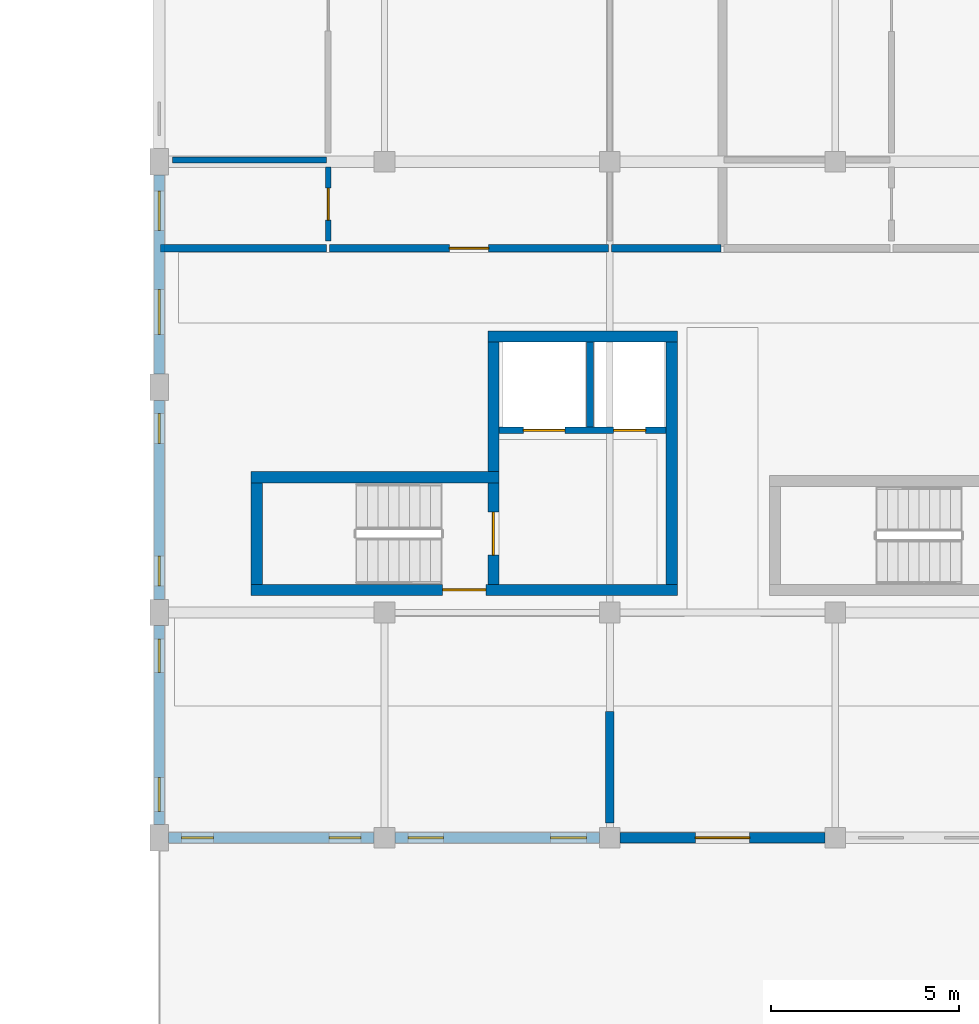
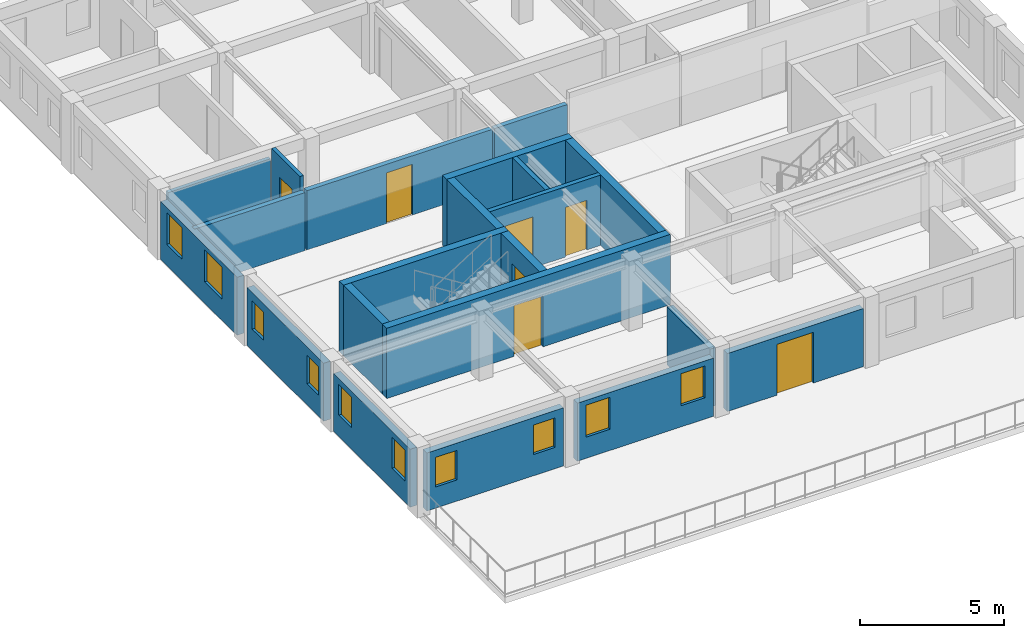
# One storey, part 15 of 28: 21 walls, 10 windows, 7 doors, 17 openings.
"""IFC4 building model written with IfcOpenShell, lengths in metres."""

from ifc_helpers import new_model, si_unit, direction, frame, frame_2d, origin, place, context, subcontext, project, spatial, rectangle, extrude, material, layer, layer_set, type_object, element, fill, save


model = new_model("IFC4")

# Units and contexts
model_context = context("Model", 3, precision=1e-05, world=origin(), true_north=direction((0.0, 1.0)))
body_context = subcontext(model_context, "Body", "Model", "MODEL_VIEW")
ifc_project = project(units=[si_unit("LENGTHUNIT", "METRE"), si_unit("AREAUNIT", "SQUARE_METRE"), si_unit("VOLUMEUNIT", "CUBIC_METRE"), si_unit("PLANEANGLEUNIT", "RADIAN"), si_unit("MASSUNIT", "GRAM", prefix="KILO"), si_unit("POWERUNIT", "WATT"), si_unit("THERMODYNAMICTEMPERATUREUNIT", "KELVIN")], contexts=[model_context])

# Site, building, storey
site_placement = place(None, origin())
site = spatial("IfcSite", under=ifc_project, at=site_placement, CompositionType="ELEMENT")
building_placement = place(site_placement, origin())
building = spatial("IfcBuilding", under=site, at=building_placement, Name="Ruvembo Vaulted Housing Court", CompositionType="ELEMENT")
storey_placement = place(building_placement, frame((0.0, 0.0, 23.699951171875)))
storey = spatial("IfcBuildingStorey", under=building, at=storey_placement, Name="L07", CompositionType="ELEMENT", Elevation=23.699951171875)

# Wall, opening, door
ifc_material_1 = material(Name="Concrete C35/45", Category="concrete")
ifc_layer_1 = layer(ifc_material_1, 0.300048828125, Name="Concrete C35/45")
ifc_layer_set_1 = layer_set([ifc_layer_1], Name="Concrete C35/45")
wall_type_1 = type_object("IfcWallType", Name="WL-CORE-300", PredefinedType="SHEAR", material=ifc_layer_set_1)
wall_1_placement = place(storey_placement, frame((50.449951171875, 90.60009765625, 0.0), z_axis=(0.0, 0.0, 1.0), x_axis=(1.0, 0.0, 0.0)))
wall_1 = element("IfcWall", 1, at=wall_1_placement, inside=storey, type_object=wall_type_1, Name="Core B1 L07 South Shear Wall", PredefinedType="SHEAR", context=body_context, shape_type="SweptSolid", body=[
    extrude(rectangle(XDim=11.35009765625, YDim=0.300048828125, at=frame_2d((5.675048828125, 0.0))), origin(), (0.0, 0.0, 1.0), 2.97509765625),
])
opening_1_placement = place(wall_1_placement, frame((5.10009765625, 0.0, 0.0)))
opening_1 = element("IfcOpeningElement", 2, at=opening_1_placement, cuts=wall_1, Name="Opening LD0", PredefinedType="OPENING", context=body_context, shape_type="SweptSolid", body=[
    extrude(rectangle(XDim=1.14990234375, YDim=2.14990234375, at=frame_2d((0.574951171875, 1.074951171875))), frame((0.0, 0.159912109375, 0.0), z_axis=(0.0, -1.0, 0.0), x_axis=(1.0, 0.0, 0.0)), (0.0, 0.0, 1.0), 0.320068359375),
])
ifc_material_2 = material(Name="Galvanised Painted Steel", Category="steel")
door_type_1 = type_object("IfcDoorType", Name="DR-LOB-1150x2150", OperationType="NOTDEFINED", PredefinedType="DOOR", material=ifc_material_2)
door_1_placement = place(opening_1_placement, origin())
door_1 = element("IfcDoor", 3, at=door_1_placement, inside=storey, type_object=door_type_1, Name="Core B1 L07 Lobby Fire Door", OperationType="SINGLE_SWING_LEFT", OverallHeight=2.14990234375, OverallWidth=1.14990234375, PredefinedType="DOOR", context=body_context, shape_type="SweptSolid", body=[
    extrude(rectangle(XDim=1.14990234375, YDim=2.14990234375, at=frame_2d((0.574951171875, 1.074951171875))), frame((0.0, 0.02490234375, 0.0), z_axis=(0.0, -1.0, 0.0), x_axis=(1.0, 0.0, 0.0)), (0.0, 0.0, 1.0), 0.050048828125),
])
fill(opening_1, door_1)

# Walls
wall_2_placement = place(storey_placement, frame((57.050048828125, 93.60009765625, 0.0), z_axis=(0.0, 0.0, 1.0), x_axis=(-1.0, 0.0, 0.0)))
element("IfcWall", 4, at=wall_2_placement, inside=storey, type_object=wall_type_1, Name="Core B1 L07 Stair North Shear Wall", PredefinedType="SHEAR", context=body_context, shape_type="SweptSolid", body=[
    extrude(rectangle(XDim=6.60009765625, YDim=0.300048828125, at=frame_2d((3.300048828125, 0.0))), origin(), (0.0, 0.0, 1.0), 2.97509765625),
])
wall_3_placement = place(storey_placement, frame((50.60009765625, 93.449951171875, 0.0), z_axis=(0.0, 0.0, 1.0), x_axis=(0.0, -1.0, 0.0)))
element("IfcWall", 5, at=wall_3_placement, inside=storey, type_object=wall_type_1, Name="Core B1 L07 Stair West Shear Wall", PredefinedType="SHEAR", context=body_context, shape_type="SweptSolid", body=[
    extrude(rectangle(XDim=2.699951171875, YDim=0.300048828125, at=frame_2d((1.35009765625, 0.0))), origin(), (0.0, 0.0, 1.0), 2.97509765625),
])

# Wall, opening, door
wall_4_placement = place(storey_placement, frame((56.89990234375, 90.75, 0.0), z_axis=(0.0, 0.0, 1.0), x_axis=(0.0, 1.0, 0.0)))
wall_4 = element("IfcWall", 6, at=wall_4_placement, inside=storey, type_object=wall_type_1, Name="Core B1 L07 Stair-Lobby Shear Wall", PredefinedType="SHEAR", context=body_context, shape_type="SweptSolid", body=[
    extrude(rectangle(XDim=2.699951171875, YDim=0.300048828125, at=frame_2d((1.35009765625, 0.0))), origin(), (0.0, 0.0, 1.0), 2.97509765625),
])
opening_2_placement = place(wall_4_placement, frame((0.77490234375, 0.0, 0.0)))
opening_2 = element("IfcOpeningElement", 7, at=opening_2_placement, cuts=wall_4, Name="Opening SD1", PredefinedType="OPENING", context=body_context, shape_type="SweptSolid", body=[
    extrude(rectangle(XDim=1.14990234375, YDim=2.14990234375, at=frame_2d((0.574951171875, 1.074951171875))), frame((0.0, 0.159912109375, 0.0), z_axis=(0.0, -1.0, 0.0), x_axis=(1.0, 0.0, 0.0)), (0.0, 0.0, 1.0), 0.320068359375),
])
door_type_2 = type_object("IfcDoorType", Name="DR-STAIR-1150x2150", OperationType="NOTDEFINED", PredefinedType="DOOR", material=ifc_material_2)
door_2_placement = place(opening_2_placement, origin())
door_2 = element("IfcDoor", 8, at=door_2_placement, inside=storey, type_object=door_type_2, Name="Stair ST-B1 L07 Fire Door", OperationType="SINGLE_SWING_RIGHT", OverallHeight=2.14990234375, OverallWidth=1.14990234375, PredefinedType="DOOR", context=body_context, shape_type="SweptSolid", body=[
    extrude(rectangle(XDim=1.14990234375, YDim=2.14990234375, at=frame_2d((0.574951171875, 1.074951171875))), frame((0.0, 0.02490234375, 0.0), z_axis=(0.0, -1.0, 0.0), x_axis=(1.0, 0.0, 0.0)), (0.0, 0.0, 1.0), 0.050048828125),
])
fill(opening_2, door_2)

# Walls
wall_5_placement = place(storey_placement, frame((61.800048828125, 97.35009765625, 0.0), z_axis=(0.0, 0.0, 1.0), x_axis=(-1.0, 0.0, 0.0)))
element("IfcWall", 9, at=wall_5_placement, inside=storey, type_object=wall_type_1, Name="Core B1 L07 North Shear Wall", PredefinedType="SHEAR", context=body_context, shape_type="SweptSolid", body=[
    extrude(rectangle(XDim=5.050048828125, YDim=0.300048828125, at=frame_2d((2.52490234375, 0.0))), origin(), (0.0, 0.0, 1.0), 2.97509765625),
])
wall_6_placement = place(storey_placement, frame((61.64990234375, 90.75, 0.0), z_axis=(0.0, 0.0, 1.0), x_axis=(0.0, 1.0, 0.0)))
element("IfcWall", 10, at=wall_6_placement, inside=storey, type_object=wall_type_1, Name="Core B1 L07 East Shear Wall", PredefinedType="SHEAR", context=body_context, shape_type="SweptSolid", body=[
    extrude(rectangle(XDim=6.449951171875, YDim=0.300048828125, at=frame_2d((3.22509765625, 0.0))), origin(), (0.0, 0.0, 1.0), 2.97509765625),
])
wall_7_placement = place(storey_placement, frame((56.89990234375, 93.75, 0.0), z_axis=(0.0, 0.0, 1.0), x_axis=(0.0, 1.0, 0.0)))
element("IfcWall", 11, at=wall_7_placement, inside=storey, type_object=wall_type_1, Name="Core B1 L07 Upper West Shear Wall", PredefinedType="SHEAR", context=body_context, shape_type="SweptSolid", body=[
    extrude(rectangle(XDim=3.449951171875, YDim=0.300048828125, at=frame_2d((1.72509765625, 0.0))), origin(), (0.0, 0.0, 1.0), 2.97509765625),
])
ifc_material_3 = material(Name="Concrete Blockwork 190", Category="masonry")
ifc_layer_2 = layer(ifc_material_3, 0.18994140625, Name="Concrete Blockwork 190")
ifc_layer_set_2 = layer_set([ifc_layer_2], Name="Concrete Blockwork 190")
wall_type_2 = type_object("IfcWallType", Name="WL-CORR-190", PredefinedType="SOLIDWALL", material=ifc_layer_set_2)
wall_8_placement = place(storey_placement, frame((48.0400390625, 99.699951171875, 0.0), z_axis=(0.0, 0.0, 1.0), x_axis=(1.0, 0.0, 0.0)))
element("IfcWall", 12, at=wall_8_placement, inside=storey, type_object=wall_type_2, Name="L07 Flat B-L07-N1 Corridor Wall WL-INT-L07-01911", PredefinedType="SOLIDWALL", context=body_context, shape_type="SweptSolid", body=[
    extrude(rectangle(XDim=4.419921875, YDim=0.18994140625, at=frame_2d((2.2099609375, 0.0))), origin(), (0.0, 0.0, 1.0), 2.45703125),
])

# Wall, opening, door
wall_9_placement = place(storey_placement, frame((52.5400390625, 99.699951171875, 0.0), z_axis=(0.0, 0.0, 1.0), x_axis=(1.0, 0.0, 0.0)))
wall_9 = element("IfcWall", 13, at=wall_9_placement, inside=storey, type_object=wall_type_2, Name="L07 Flat B-L07-N1 Entrance WL-INT-L07-01912", PredefinedType="SOLIDWALL", context=body_context, shape_type="SweptSolid", body=[
    extrude(rectangle(XDim=7.419921875, YDim=0.18994140625, at=frame_2d((3.7099609375, 0.0))), origin(), (0.0, 0.0, 1.0), 2.508056640625),
])
opening_3_placement = place(wall_9_placement, frame((3.18505859375, 0.0, 0.0)))
opening_3 = element("IfcOpeningElement", 14, at=opening_3_placement, cuts=wall_9, Name="Opening FD3", PredefinedType="OPENING", context=body_context, shape_type="SweptSolid", body=[
    extrude(rectangle(XDim=1.050048828125, YDim=2.14990234375, at=frame_2d((0.52490234375, 1.074951171875))), frame((0.0, 0.10498046875, 0.0), z_axis=(0.0, -1.0, 0.0), x_axis=(1.0, 0.0, 0.0)), (0.0, 0.0, 1.0), 0.2099609375),
])
ifc_material_4 = material(Name="FSC Hardwood and Engineered Timber", Category="wood")
door_type_3 = type_object("IfcDoorType", Name="DR-FLAT-1050x2150", OperationType="NOTDEFINED", PredefinedType="DOOR", material=ifc_material_4)
door_3_placement = place(opening_3_placement, origin())
door_3 = element("IfcDoor", 15, at=door_3_placement, inside=storey, type_object=door_type_3, Name="L07 Flat B-L07-N1 Entrance Door DR-INT-L07-01073", OperationType="SINGLE_SWING_LEFT", OverallHeight=2.14990234375, OverallWidth=1.050048828125, PredefinedType="DOOR", context=body_context, shape_type="SweptSolid", body=[
    extrude(rectangle(XDim=1.050048828125, YDim=2.14990234375, at=frame_2d((0.52490234375, 1.074951171875))), frame((0.0, 0.02490234375, 0.0), z_axis=(0.0, -1.0, 0.0), x_axis=(1.0, 0.0, 0.0)), (0.0, 0.0, 1.0), 0.050048828125),
])
fill(opening_3, door_3)

# Walls
wall_10_placement = place(storey_placement, frame((60.0400390625, 99.699951171875, 0.0), z_axis=(0.0, 0.0, 1.0), x_axis=(1.0, 0.0, 0.0)))
element("IfcWall", 16, at=wall_10_placement, inside=storey, type_object=wall_type_2, Name="L07 Flat B-L07-N1 Corridor Wall 2 WL-INT-L07-01918", PredefinedType="SOLIDWALL", context=body_context, shape_type="SweptSolid", body=[
    extrude(rectangle(XDim=2.919921875, YDim=0.18994140625, at=frame_2d((1.4599609375, 0.0))), origin(), (0.0, 0.0, 1.0), 2.508056640625),
])
ifc_material_5 = material(Name="Acoustic Masonry Demising 230", Category="masonry")
ifc_layer_3 = layer(ifc_material_5, 0.22998046875, Name="Acoustic Masonry Demising 230")
ifc_layer_set_3 = layer_set([ifc_layer_3], Name="Acoustic Masonry Demising 230")
wall_type_3 = type_object("IfcWallType", Name="WL-DEM-230", PredefinedType="SOLIDWALL", material=ifc_layer_set_3)
wall_11_placement = place(storey_placement, frame((60.0, 84.389892578125, 0.0), z_axis=(0.0, 0.0, 1.0), x_axis=(0.0, 1.0, 0.0)))
element("IfcWall", 17, at=wall_11_placement, inside=storey, type_object=wall_type_3, Name="L07 Demising B-L07-S1 WL-INT-L07-01908", PredefinedType="SOLIDWALL", context=body_context, shape_type="SweptSolid", body=[
    extrude(rectangle(XDim=2.97021484375, YDim=0.22998046875, at=frame_2d((1.485107421875, 0.0))), origin(), (0.0, 0.0, 1.0), 2.4580078125),
])

# Wall, openings, windows
ifc_material_6 = material(Name="Rendered Masonry 270", Category="masonry")
ifc_layer_4 = layer(ifc_material_6, 0.27001953125, Name="Rendered Masonry 270")
ifc_layer_set_4 = layer_set([ifc_layer_4], Name="Rendered Masonry 270")
wall_type_4 = type_object("IfcWallType", Name="WL-EXT-270", PredefinedType="STANDARD", material=ifc_layer_set_4)
wall_12_placement = place(storey_placement, frame((48.25, 84.0, 0.0), z_axis=(0.0, 0.0, 1.0), x_axis=(1.0, 0.0, 0.0)))
wall_12 = element("IfcWall", 18, at=wall_12_placement, inside=storey, type_object=wall_type_4, Name="Block B L07 Exterior Wall COURTYARD #1", PredefinedType="STANDARD", context=body_context, shape_type="SweptSolid", body=[
    extrude(rectangle(XDim=5.47509765625, YDim=0.27001953125, at=frame_2d((2.737548828125, 0.0))), origin(), (0.0, 0.0, 1.0), 2.45703125),
])
opening_4_placement = place(wall_12_placement, frame((0.35009765625, 0.0, 0.89990234375)))
opening_4 = element("IfcOpeningElement", 19, at=opening_4_placement, cuts=wall_12, Name="Opening W03", PredefinedType="OPENING", context=body_context, shape_type="SweptSolid", body=[
    extrude(rectangle(XDim=0.85009765625, YDim=1.25, at=frame_2d((0.425048828125, 0.625))), frame((0.0, 0.14501953125, 0.0), z_axis=(0.0, -1.0, 0.0), x_axis=(1.0, 0.0, 0.0)), (0.0, 0.0, 1.0), 0.2900390625),
])
opening_5_placement = place(wall_12_placement, frame((4.27490234375, 0.0, 0.89990234375)))
opening_5 = element("IfcOpeningElement", 20, at=opening_5_placement, cuts=wall_12, Name="Opening W03", PredefinedType="OPENING", context=body_context, shape_type="SweptSolid", body=[
    extrude(rectangle(XDim=0.85009765625, YDim=1.25, at=frame_2d((0.425048828125, 0.625))), frame((0.0, 0.14501953125, 0.0), z_axis=(0.0, -1.0, 0.0), x_axis=(1.0, 0.0, 0.0)), (0.0, 0.0, 1.0), 0.2900390625),
])
ifc_material_7 = material(Name="Double Solar-Control Glazing in Aluminium Frame", Category="aluminium")
window_type_1 = type_object("IfcWindowType", Name="WIN-0850x1250", PartitioningType="SINGLE_PANEL", PredefinedType="WINDOW", material=ifc_material_7)
window_1_placement = place(opening_4_placement, origin())
window_1 = element("IfcWindow", 21, at=window_1_placement, inside=storey, type_object=window_type_1, Name="Block B L07 Window #907", OverallHeight=1.25, OverallWidth=0.85009765625, PartitioningType="SINGLE_PANEL", PredefinedType="WINDOW", context=body_context, shape_type="SweptSolid", body=[
    extrude(rectangle(XDim=0.85009765625, YDim=1.25, at=frame_2d((0.425048828125, 0.625))), frame((0.0, 0.030029296875, 0.0), z_axis=(0.0, -1.0, 0.0), x_axis=(1.0, 0.0, 0.0)), (0.0, 0.0, 1.0), 0.06005859375),
])
fill(opening_4, window_1)
window_2_placement = place(opening_5_placement, origin())
window_2 = element("IfcWindow", 22, at=window_2_placement, inside=storey, type_object=window_type_1, Name="Block B L07 Window #908", OverallHeight=1.25, OverallWidth=0.85009765625, PartitioningType="SINGLE_PANEL", PredefinedType="WINDOW", context=body_context, shape_type="SweptSolid", body=[
    extrude(rectangle(XDim=0.85009765625, YDim=1.25, at=frame_2d((0.425048828125, 0.625))), frame((0.0, 0.030029296875, 0.0), z_axis=(0.0, -1.0, 0.0), x_axis=(1.0, 0.0, 0.0)), (0.0, 0.0, 1.0), 0.06005859375),
])
fill(opening_5, window_2)

wall_13_placement = place(storey_placement, frame((54.27490234375, 84.0, 0.0), z_axis=(0.0, 0.0, 1.0), x_axis=(1.0, 0.0, 0.0)))
wall_13 = element("IfcWall", 23, at=wall_13_placement, inside=storey, type_object=wall_type_4, Name="Block B L07 Exterior Wall COURTYARD #2", PredefinedType="STANDARD", context=body_context, shape_type="SweptSolid", body=[
    extrude(rectangle(XDim=5.4501953125, YDim=0.27001953125, at=frame_2d((2.72509765625, 0.0))), origin(), (0.0, 0.0, 1.0), 2.45703125),
])
opening_6_placement = place(wall_13_placement, frame((0.35009765625, 0.0, 0.89990234375)))
opening_6 = element("IfcOpeningElement", 24, at=opening_6_placement, cuts=wall_13, Name="Opening W07", PredefinedType="OPENING", context=body_context, shape_type="SweptSolid", body=[
    extrude(rectangle(XDim=0.949951171875, YDim=1.35009765625, at=frame_2d((0.47509765625, 0.675048828125))), frame((0.0, 0.14501953125, 0.0), z_axis=(0.0, -1.0, 0.0), x_axis=(1.0, 0.0, 0.0)), (0.0, 0.0, 1.0), 0.2900390625),
])
opening_7_placement = place(wall_13_placement, frame((4.14990234375, 0.0, 0.89990234375)))
opening_7 = element("IfcOpeningElement", 25, at=opening_7_placement, cuts=wall_13, Name="Opening W07", PredefinedType="OPENING", context=body_context, shape_type="SweptSolid", body=[
    extrude(rectangle(XDim=0.949951171875, YDim=1.35009765625, at=frame_2d((0.47509765625, 0.675048828125))), frame((0.0, 0.14501953125, 0.0), z_axis=(0.0, -1.0, 0.0), x_axis=(1.0, 0.0, 0.0)), (0.0, 0.0, 1.0), 0.2900390625),
])
window_type_2 = type_object("IfcWindowType", Name="WIN-0950x1350", PartitioningType="SINGLE_PANEL", PredefinedType="WINDOW", material=ifc_material_7)
window_3_placement = place(opening_6_placement, origin())
window_3 = element("IfcWindow", 26, at=window_3_placement, inside=storey, type_object=window_type_2, Name="Block B L07 Window #909", OverallHeight=1.35009765625, OverallWidth=0.949951171875, PartitioningType="SINGLE_PANEL", PredefinedType="WINDOW", context=body_context, shape_type="SweptSolid", body=[
    extrude(rectangle(XDim=0.949951171875, YDim=1.35009765625, at=frame_2d((0.47509765625, 0.675048828125))), frame((0.0, 0.030029296875, 0.0), z_axis=(0.0, -1.0, 0.0), x_axis=(1.0, 0.0, 0.0)), (0.0, 0.0, 1.0), 0.06005859375),
])
fill(opening_6, window_3)
window_4_placement = place(opening_7_placement, origin())
window_4 = element("IfcWindow", 27, at=window_4_placement, inside=storey, type_object=window_type_2, Name="Block B L07 Window #910", OverallHeight=1.35009765625, OverallWidth=0.949951171875, PartitioningType="SINGLE_PANEL", PredefinedType="WINDOW", context=body_context, shape_type="SweptSolid", body=[
    extrude(rectangle(XDim=0.949951171875, YDim=1.35009765625, at=frame_2d((0.47509765625, 0.675048828125))), frame((0.0, 0.030029296875, 0.0), z_axis=(0.0, -1.0, 0.0), x_axis=(1.0, 0.0, 0.0)), (0.0, 0.0, 1.0), 0.06005859375),
])
fill(opening_7, window_4)

# Wall, opening, door
wall_14_placement = place(storey_placement, frame((60.27490234375, 84.0, 0.0), z_axis=(0.0, 0.0, 1.0), x_axis=(1.0, 0.0, 0.0)))
wall_14 = element("IfcWall", 28, at=wall_14_placement, inside=storey, type_object=wall_type_4, Name="Block B L07 Exterior Wall COURTYARD #3", PredefinedType="STANDARD", context=body_context, shape_type="SweptSolid", body=[
    extrude(rectangle(XDim=5.4501953125, YDim=0.27001953125, at=frame_2d((2.72509765625, 0.0))), origin(), (0.0, 0.0, 1.0), 2.45703125),
])
opening_8_placement = place(wall_14_placement, frame((2.0, 0.0, 0.0)))
opening_8 = element("IfcOpeningElement", 29, at=opening_8_placement, cuts=wall_14, Name="Opening TD0", PredefinedType="OPENING", context=body_context, shape_type="SweptSolid", body=[
    extrude(rectangle(XDim=1.449951171875, YDim=2.14990234375, at=frame_2d((0.72509765625, 1.074951171875))), frame((0.0, 0.14501953125, 0.0), z_axis=(0.0, -1.0, 0.0), x_axis=(1.0, 0.0, 0.0)), (0.0, 0.0, 1.0), 0.2900390625),
])
ifc_material_8 = material(Name="Thermally Broken Glazed Aluminium", Category="aluminium")
door_type_4 = type_object("IfcDoorType", Name="DR-TER-1450x2150", OperationType="NOTDEFINED", PredefinedType="DOOR", material=ifc_material_8)
door_4_placement = place(opening_8_placement, frame((1.449951171875, 0.0, 0.0), z_axis=(0.0, 0.0, 1.0), x_axis=(-1.0, 0.0, 0.0)))
door_4 = element("IfcDoor", 30, at=door_4_placement, inside=storey, type_object=door_type_4, Name="Block B L07 Terrace or Gallery Door DR-TER-B-L07-047", OperationType="SINGLE_SWING_RIGHT", OverallHeight=2.14990234375, OverallWidth=1.449951171875, PredefinedType="DOOR", context=body_context, shape_type="SweptSolid", body=[
    extrude(rectangle(XDim=1.449951171875, YDim=2.14990234375, at=frame_2d((0.72509765625, 1.074951171875))), frame((0.0, 0.02490234375, 0.0), z_axis=(0.0, -1.0, 0.0), x_axis=(1.0, 0.0, 0.0)), (0.0, 0.0, 1.0), 0.050048828125),
])
fill(opening_8, door_4)

# Wall, openings, windows
wall_15_placement = place(storey_placement, frame((48.0, 101.64990234375, 0.0), z_axis=(0.0, 0.0, 1.0), x_axis=(0.0, -1.0, 0.0)))
wall_15 = element("IfcWall", 31, at=wall_15_placement, inside=storey, type_object=wall_type_4, Name="Block B L07 Exterior Wall WEST #3", PredefinedType="STANDARD", context=body_context, shape_type="SweptSolid", body=[
    extrude(rectangle(XDim=5.2998046875, YDim=0.27001953125, at=frame_2d((2.64990234375, 0.0))), origin(), (0.0, 0.0, 1.0), 2.45703125),
])
opening_9_placement = place(wall_15_placement, frame((0.429931640625, 0.0, 0.89990234375)))
opening_9 = element("IfcOpeningElement", 32, at=opening_9_placement, cuts=wall_15, Name="Opening W09", PredefinedType="OPENING", context=body_context, shape_type="SweptSolid", body=[
    extrude(rectangle(XDim=1.050048828125, YDim=1.35009765625, at=frame_2d((0.52490234375, 0.675048828125))), frame((0.0, 0.14501953125, 0.0), z_axis=(0.0, -1.0, 0.0), x_axis=(1.0, 0.0, 0.0)), (0.0, 0.0, 1.0), 0.2900390625),
])
opening_10_placement = place(wall_15_placement, frame((3.044921875, 0.0, 0.89990234375)))
opening_10 = element("IfcOpeningElement", 33, at=opening_10_placement, cuts=wall_15, Name="Opening W12", PredefinedType="OPENING", context=body_context, shape_type="SweptSolid", body=[
    extrude(rectangle(XDim=1.199951171875, YDim=1.35009765625, at=frame_2d((0.60009765625, 0.675048828125))), frame((0.0, 0.14501953125, 0.0), z_axis=(0.0, -1.0, 0.0), x_axis=(1.0, 0.0, 0.0)), (0.0, 0.0, 1.0), 0.2900390625),
])
window_type_3 = type_object("IfcWindowType", Name="WIN-1050x1350", PartitioningType="SINGLE_PANEL", PredefinedType="WINDOW", material=ifc_material_7)
window_5_placement = place(opening_9_placement, origin())
window_5 = element("IfcWindow", 34, at=window_5_placement, inside=storey, type_object=window_type_3, Name="Block B L07 Window #940", OverallHeight=1.35009765625, OverallWidth=1.050048828125, PartitioningType="SINGLE_PANEL", PredefinedType="WINDOW", context=body_context, shape_type="SweptSolid", body=[
    extrude(rectangle(XDim=1.050048828125, YDim=1.35009765625, at=frame_2d((0.52490234375, 0.675048828125))), frame((0.0, 0.030029296875, 0.0), z_axis=(0.0, -1.0, 0.0), x_axis=(1.0, 0.0, 0.0)), (0.0, 0.0, 1.0), 0.06005859375),
])
fill(opening_9, window_5)
window_type_4 = type_object("IfcWindowType", Name="WIN-1200x1350", PartitioningType="SINGLE_PANEL", PredefinedType="WINDOW", material=ifc_material_7)
window_6_placement = place(opening_10_placement, origin())
window_6 = element("IfcWindow", 35, at=window_6_placement, inside=storey, type_object=window_type_4, Name="Block B L07 Window #941", OverallHeight=1.35009765625, OverallWidth=1.199951171875, PartitioningType="SINGLE_PANEL", PredefinedType="WINDOW", context=body_context, shape_type="SweptSolid", body=[
    extrude(rectangle(XDim=1.199951171875, YDim=1.35009765625, at=frame_2d((0.60009765625, 0.675048828125))), frame((0.0, 0.030029296875, 0.0), z_axis=(0.0, -1.0, 0.0), x_axis=(1.0, 0.0, 0.0)), (0.0, 0.0, 1.0), 0.06005859375),
])
fill(opening_10, window_6)

wall_16_placement = place(storey_placement, frame((48.0, 95.64990234375, 0.0), z_axis=(0.0, 0.0, 1.0), x_axis=(0.0, -1.0, 0.0)))
wall_16 = element("IfcWall", 36, at=wall_16_placement, inside=storey, type_object=wall_type_4, Name="Block B L07 Exterior Wall WEST #4", PredefinedType="STANDARD", context=body_context, shape_type="SweptSolid", body=[
    extrude(rectangle(XDim=5.2998046875, YDim=0.27001953125, at=frame_2d((2.64990234375, 0.0))), origin(), (0.0, 0.0, 1.0), 2.45703125),
])
opening_11_placement = place(wall_16_placement, frame((0.35009765625, 0.0, 0.89990234375)))
opening_11 = element("IfcOpeningElement", 37, at=opening_11_placement, cuts=wall_16, Name="Opening W02", PredefinedType="OPENING", context=body_context, shape_type="SweptSolid", body=[
    extrude(rectangle(XDim=0.800048828125, YDim=1.199951171875, at=frame_2d((0.39990234375, 0.60009765625))), frame((0.0, 0.14501953125, 0.0), z_axis=(0.0, -1.0, 0.0), x_axis=(1.0, 0.0, 0.0)), (0.0, 0.0, 1.0), 0.2900390625),
])
opening_12_placement = place(wall_16_placement, frame((4.14990234375, 0.0, 0.89990234375)))
opening_12 = element("IfcOpeningElement", 38, at=opening_12_placement, cuts=wall_16, Name="Opening W02", PredefinedType="OPENING", context=body_context, shape_type="SweptSolid", body=[
    extrude(rectangle(XDim=0.800048828125, YDim=1.199951171875, at=frame_2d((0.39990234375, 0.60009765625))), frame((0.0, 0.14501953125, 0.0), z_axis=(0.0, -1.0, 0.0), x_axis=(1.0, 0.0, 0.0)), (0.0, 0.0, 1.0), 0.2900390625),
])
window_type_5 = type_object("IfcWindowType", Name="WIN-0800x1200", PartitioningType="SINGLE_PANEL", PredefinedType="WINDOW", material=ifc_material_7)
window_7_placement = place(opening_11_placement, origin())
window_7 = element("IfcWindow", 39, at=window_7_placement, inside=storey, type_object=window_type_5, Name="Block B L07 Window #942", OverallHeight=1.199951171875, OverallWidth=0.800048828125, PartitioningType="SINGLE_PANEL", PredefinedType="WINDOW", context=body_context, shape_type="SweptSolid", body=[
    extrude(rectangle(XDim=0.800048828125, YDim=1.199951171875, at=frame_2d((0.39990234375, 0.60009765625))), frame((0.0, 0.030029296875, 0.0), z_axis=(0.0, -1.0, 0.0), x_axis=(1.0, 0.0, 0.0)), (0.0, 0.0, 1.0), 0.06005859375),
])
fill(opening_11, window_7)
window_8_placement = place(opening_12_placement, origin())
window_8 = element("IfcWindow", 40, at=window_8_placement, inside=storey, type_object=window_type_5, Name="Block B L07 Window #943", OverallHeight=1.199951171875, OverallWidth=0.800048828125, PartitioningType="SINGLE_PANEL", PredefinedType="WINDOW", context=body_context, shape_type="SweptSolid", body=[
    extrude(rectangle(XDim=0.800048828125, YDim=1.199951171875, at=frame_2d((0.39990234375, 0.60009765625))), frame((0.0, 0.030029296875, 0.0), z_axis=(0.0, -1.0, 0.0), x_axis=(1.0, 0.0, 0.0)), (0.0, 0.0, 1.0), 0.06005859375),
])
fill(opening_12, window_8)

wall_17_placement = place(storey_placement, frame((48.0, 89.64990234375, 0.0), z_axis=(0.0, 0.0, 1.0), x_axis=(0.0, -1.0, 0.0)))
wall_17 = element("IfcWall", 41, at=wall_17_placement, inside=storey, type_object=wall_type_4, Name="Block B L07 Exterior Wall WEST #5", PredefinedType="STANDARD", context=body_context, shape_type="SweptSolid", body=[
    extrude(rectangle(XDim=5.2998046875, YDim=0.27001953125, at=frame_2d((2.64990234375, 0.0))), origin(), (0.0, 0.0, 1.0), 2.45703125),
])
opening_13_placement = place(wall_17_placement, frame((0.35009765625, 0.0, 0.89990234375)))
opening_13 = element("IfcOpeningElement", 42, at=opening_13_placement, cuts=wall_17, Name="Opening W04", PredefinedType="OPENING", context=body_context, shape_type="SweptSolid", body=[
    extrude(rectangle(XDim=0.89990234375, YDim=1.300048828125, at=frame_2d((0.449951171875, 0.64990234375))), frame((0.0, 0.14501953125, 0.0), z_axis=(0.0, -1.0, 0.0), x_axis=(1.0, 0.0, 0.0)), (0.0, 0.0, 1.0), 0.2900390625),
])
opening_14_placement = place(wall_17_placement, frame((4.050048828125, 0.0, 0.89990234375)))
opening_14 = element("IfcOpeningElement", 43, at=opening_14_placement, cuts=wall_17, Name="Opening W04", PredefinedType="OPENING", context=body_context, shape_type="SweptSolid", body=[
    extrude(rectangle(XDim=0.89990234375, YDim=1.300048828125, at=frame_2d((0.449951171875, 0.64990234375))), frame((0.0, 0.14501953125, 0.0), z_axis=(0.0, -1.0, 0.0), x_axis=(1.0, 0.0, 0.0)), (0.0, 0.0, 1.0), 0.2900390625),
])
window_type_6 = type_object("IfcWindowType", Name="WIN-0900x1300", PartitioningType="SINGLE_PANEL", PredefinedType="WINDOW", material=ifc_material_7)
window_9_placement = place(opening_13_placement, origin())
window_9 = element("IfcWindow", 44, at=window_9_placement, inside=storey, type_object=window_type_6, Name="Block B L07 Window #944", OverallHeight=1.300048828125, OverallWidth=0.89990234375, PartitioningType="SINGLE_PANEL", PredefinedType="WINDOW", context=body_context, shape_type="SweptSolid", body=[
    extrude(rectangle(XDim=0.89990234375, YDim=1.300048828125, at=frame_2d((0.449951171875, 0.64990234375))), frame((0.0, 0.030029296875, 0.0), z_axis=(0.0, -1.0, 0.0), x_axis=(1.0, 0.0, 0.0)), (0.0, 0.0, 1.0), 0.06005859375),
])
fill(opening_13, window_9)
window_10_placement = place(opening_14_placement, origin())
window_10 = element("IfcWindow", 45, at=window_10_placement, inside=storey, type_object=window_type_6, Name="Block B L07 Window #945", OverallHeight=1.300048828125, OverallWidth=0.89990234375, PartitioningType="SINGLE_PANEL", PredefinedType="WINDOW", context=body_context, shape_type="SweptSolid", body=[
    extrude(rectangle(XDim=0.89990234375, YDim=1.300048828125, at=frame_2d((0.449951171875, 0.64990234375))), frame((0.0, 0.030029296875, 0.0), z_axis=(0.0, -1.0, 0.0), x_axis=(1.0, 0.0, 0.0)), (0.0, 0.0, 1.0), 0.06005859375),
])
fill(opening_14, window_10)

# Wall, opening, door
ifc_material_9 = material(Name="Moisture-Resistant Wet Partition 150", Category="gypsum")
ifc_layer_5 = layer(ifc_material_9, 0.14990234375, Name="Moisture-Resistant Wet Partition 150")
ifc_layer_set_5 = layer_set([ifc_layer_5], Name="Moisture-Resistant Wet Partition 150")
wall_type_5 = type_object("IfcWallType", Name="WL-PART-150", PredefinedType="PARTITIONING", material=ifc_layer_set_5)
wall_18_placement = place(storey_placement, frame((52.5, 99.889892578125, 0.0), z_axis=(0.0, 0.0, 1.0), x_axis=(0.0, 1.0, 0.0)))
wall_18 = element("IfcWall", 46, at=wall_18_placement, inside=storey, type_object=wall_type_5, Name="L07 Flat B-L07-N1 Bathroom WL-INT-L07-01915", PredefinedType="PARTITIONING", context=body_context, shape_type="SweptSolid", body=[
    extrude(rectangle(XDim=1.97021484375, YDim=0.14990234375, at=frame_2d((0.985107421875, 0.0))), origin(), (0.0, 0.0, 1.0), 2.97509765625),
])
opening_15_placement = place(wall_18_placement, frame((0.56005859375, 0.0, 0.0)))
opening_15 = element("IfcOpeningElement", 47, at=opening_15_placement, cuts=wall_18, Name="Opening ID2", PredefinedType="OPENING", context=body_context, shape_type="SweptSolid", body=[
    extrude(rectangle(XDim=0.85009765625, YDim=2.10009765625, at=frame_2d((0.425048828125, 1.050048828125))), frame((0.0, 0.0849609375, 0.0), z_axis=(0.0, -1.0, 0.0), x_axis=(1.0, 0.0, 0.0)), (0.0, 0.0, 1.0), 0.169921875),
])
door_type_5 = type_object("IfcDoorType", Name="DR-WET-0850x2100", OperationType="NOTDEFINED", PredefinedType="DOOR", material=ifc_material_4)
door_5_placement = place(opening_15_placement, origin())
door_5 = element("IfcDoor", 48, at=door_5_placement, inside=storey, type_object=door_type_5, Name="L07 Flat B-L07-N1 Bathroom Door DR-INT-L07-01076", OperationType="SINGLE_SWING_RIGHT", OverallHeight=2.10009765625, OverallWidth=0.85009765625, PredefinedType="DOOR", context=body_context, shape_type="SweptSolid", body=[
    extrude(rectangle(XDim=0.85009765625, YDim=2.10009765625, at=frame_2d((0.425048828125, 1.050048828125))), frame((0.0, 0.02490234375, 0.0), z_axis=(0.0, -1.0, 0.0), x_axis=(1.0, 0.0, 0.0)), (0.0, 0.0, 1.0), 0.050048828125),
])
fill(opening_15, door_5)

# Wall
wall_19_placement = place(storey_placement, frame((48.360107421875, 102.050048828125, 0.0), z_axis=(0.0, 0.0, 1.0), x_axis=(1.0, 0.0, 0.0)))
element("IfcWall", 49, at=wall_19_placement, inside=storey, type_object=wall_type_5, Name="L07 Flat B-L07-N1 Wet Wall 2 WL-INT-L07-01917", PredefinedType="PARTITIONING", context=body_context, shape_type="SweptSolid", body=[
    extrude(rectangle(XDim=4.099853515625, YDim=0.14990234375, at=frame_2d((2.0498046875, 0.0))), origin(), (0.0, 0.0, 1.0), 2.45703125),
])

# Wall, openings, doors
ifc_material_10 = material(Name="Fire-Rated Masonry Shaft 180", Category="masonry")
ifc_layer_6 = layer(ifc_material_10, 0.179931640625, Name="Fire-Rated Masonry Shaft 180")
ifc_layer_set_6 = layer_set([ifc_layer_6], Name="Fire-Rated Masonry Shaft 180")
wall_type_6 = type_object("IfcWallType", Name="WL-SHAFT-180", PredefinedType="SOLIDWALL", material=ifc_layer_set_6)
wall_20_placement = place(storey_placement, frame((57.050048828125, 94.85009765625, 0.0), z_axis=(0.0, 0.0, 1.0), x_axis=(1.0, 0.0, 0.0)))
wall_20 = element("IfcWall", 50, at=wall_20_placement, inside=storey, type_object=wall_type_6, Name="Core B1 L07 Lift and Riser Front Wall", PredefinedType="SOLIDWALL", context=body_context, shape_type="SweptSolid", body=[
    extrude(rectangle(XDim=4.449951171875, YDim=0.179931640625, at=frame_2d((2.22509765625, 0.0))), origin(), (0.0, 0.0, 1.0), 2.97509765625),
])
opening_16_placement = place(wall_20_placement, frame((0.64990234375, 0.0, 0.0)))
opening_16 = element("IfcOpeningElement", 51, at=opening_16_placement, cuts=wall_20, Name="Opening LD-LP-B1-L07", PredefinedType="OPENING", context=body_context, shape_type="SweptSolid", body=[
    extrude(rectangle(XDim=1.10009765625, YDim=2.14990234375, at=frame_2d((0.550048828125, 1.074951171875))), frame((0.0, 0.099853515625, 0.0), z_axis=(0.0, -1.0, 0.0), x_axis=(1.0, 0.0, 0.0)), (0.0, 0.0, 1.0), 0.199951171875),
])
opening_17_placement = place(wall_20_placement, frame((3.050048828125, 0.0, 0.0)))
opening_17 = element("IfcOpeningElement", 52, at=opening_17_placement, cuts=wall_20, Name="Opening RD1", PredefinedType="OPENING", context=body_context, shape_type="SweptSolid", body=[
    extrude(rectangle(XDim=0.85009765625, YDim=2.10009765625, at=frame_2d((0.425048828125, 1.050048828125))), frame((0.0, 0.099853515625, 0.0), z_axis=(0.0, -1.0, 0.0), x_axis=(1.0, 0.0, 0.0)), (0.0, 0.0, 1.0), 0.199951171875),
])
ifc_material_11 = material(Name="Brushed Stainless Steel 304", Category="steel")
door_type_6 = type_object("IfcDoorType", Name="DR-LIFT-1100x2150", OperationType="NOTDEFINED", PredefinedType="DOOR", material=ifc_material_11)
door_6_placement = place(opening_16_placement, origin())
door_6 = element("IfcDoor", 53, at=door_6_placement, inside=storey, type_object=door_type_6, Name="Lift LP-B1 L07 Sliding Landing Door", OperationType="SLIDING_TO_LEFT", OverallHeight=2.14990234375, OverallWidth=1.10009765625, PredefinedType="DOOR", context=body_context, shape_type="SweptSolid", body=[
    extrude(rectangle(XDim=1.10009765625, YDim=2.14990234375, at=frame_2d((0.550048828125, 1.074951171875))), frame((0.0, 0.02490234375, 0.0), z_axis=(0.0, -1.0, 0.0), x_axis=(1.0, 0.0, 0.0)), (0.0, 0.0, 1.0), 0.050048828125),
])
fill(opening_16, door_6)
door_type_7 = type_object("IfcDoorType", Name="DR-RISER-0850x2100", OperationType="NOTDEFINED", PredefinedType="DOOR", material=ifc_material_2)
door_7_placement = place(opening_17_placement, frame((0.85009765625, 0.0, 0.0), z_axis=(0.0, 0.0, 1.0), x_axis=(-1.0, 0.0, 0.0)))
door_7 = element("IfcDoor", 54, at=door_7_placement, inside=storey, type_object=door_type_7, Name="Core B1 L07 Service Riser Door", OperationType="SINGLE_SWING_LEFT", OverallHeight=2.10009765625, OverallWidth=0.85009765625, PredefinedType="DOOR", context=body_context, shape_type="SweptSolid", body=[
    extrude(rectangle(XDim=0.85009765625, YDim=2.10009765625, at=frame_2d((0.425048828125, 1.050048828125))), frame((0.0, 0.02490234375, 0.0), z_axis=(0.0, -1.0, 0.0), x_axis=(1.0, 0.0, 0.0)), (0.0, 0.0, 1.0), 0.050048828125),
])
fill(opening_17, door_7)

# Wall
wall_21_placement = place(storey_placement, frame((59.469970703125, 94.93994140625, 0.0), z_axis=(0.0, 0.0, 1.0), x_axis=(0.0, 1.0, 0.0)))
element("IfcWall", 55, at=wall_21_placement, inside=storey, type_object=wall_type_6, Name="Core B1 L07 Shaft-Riser Divider Wall", PredefinedType="SOLIDWALL", context=body_context, shape_type="SweptSolid", body=[
    extrude(rectangle(XDim=2.260009765625, YDim=0.179931640625, at=frame_2d((1.1298828125, 0.0))), origin(), (0.0, 0.0, 1.0), 2.97509765625),
])

save(model, "model.ifc")
